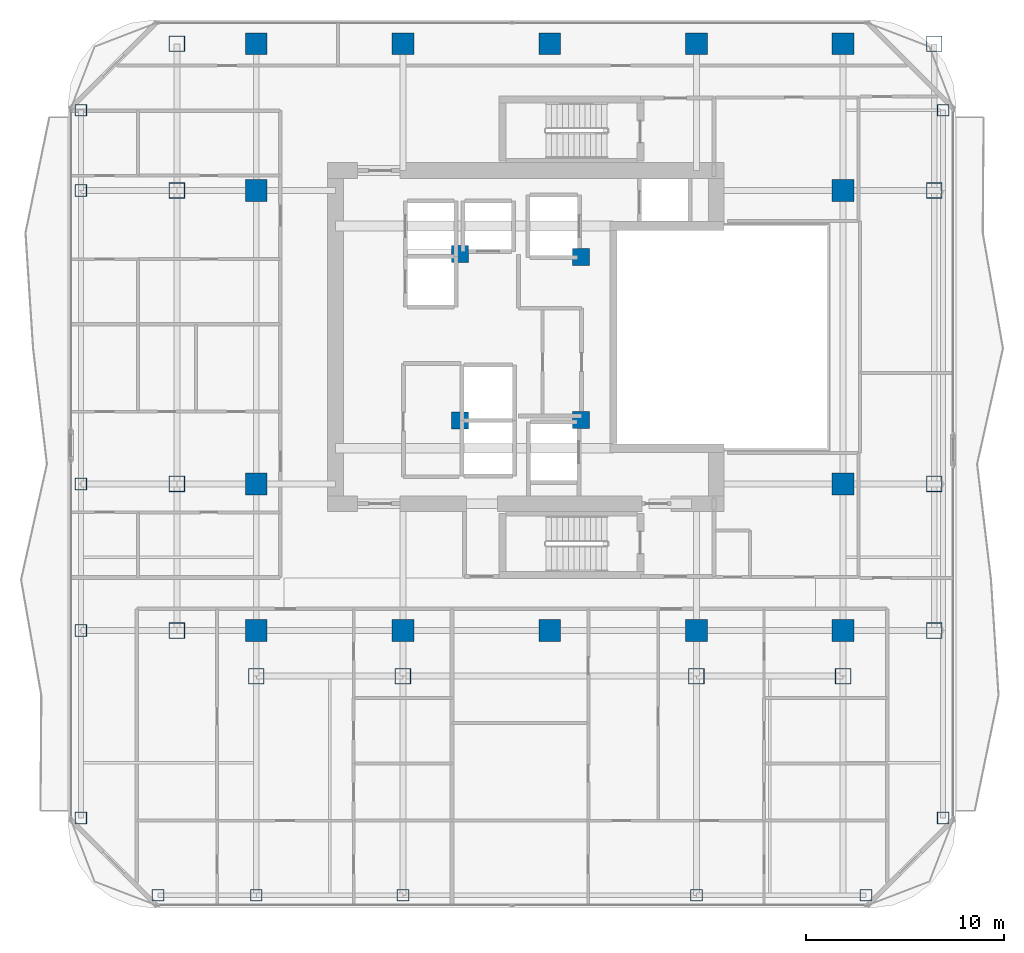
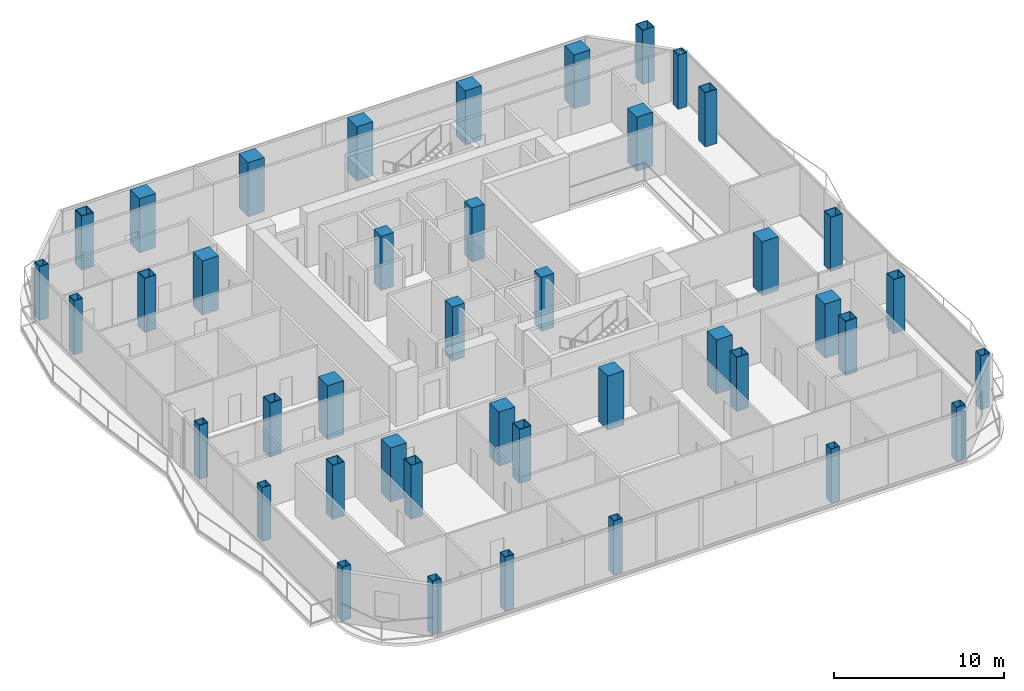
# One storey, part 1 of 23: 42 columns.
"""IFC4 building model written with IfcOpenShell, lengths in metres."""

from ifc_helpers import new_model, si_unit, direction, frame, origin, origin_2d, place, context, subcontext, project, spatial, rectangle, hollow_rectangle, extrude, material, material_profile, profile_set, type_object, element, save


model = new_model("IFC4")

# Units and contexts
model_context = context("Model", 3, precision=1e-05, world=origin(), true_north=direction((0.0, 1.0)))
body_context = subcontext(model_context, "Body", "Model", "MODEL_VIEW")
ifc_project = project(units=[si_unit("LENGTHUNIT", "METRE"), si_unit("AREAUNIT", "SQUARE_METRE"), si_unit("VOLUMEUNIT", "CUBIC_METRE"), si_unit("PLANEANGLEUNIT", "RADIAN"), si_unit("MASSUNIT", "GRAM", prefix="KILO")], contexts=[model_context])

# Site, building, storey
site_placement = place(None, origin())
site = spatial("IfcSite", under=ifc_project, at=site_placement, CompositionType="ELEMENT")
building_placement = place(site_placement, origin())
building = spatial("IfcBuilding", under=site, at=building_placement, Name="Khorvyn Point Tower", CompositionType="ELEMENT")
storey_placement = place(building_placement, frame((0.0, 0.0, 199.199951171875)))
storey = spatial("IfcBuildingStorey", under=building, at=storey_placement, Name="L49", CompositionType="ELEMENT", Elevation=199.199951171875)

# Columns
ifc_material_1 = material(Name="Concrete C40/50", Category="concrete")
ifc_material_profile_1 = material_profile(ifc_material_1, rectangle(XDim=0.85009765625, YDim=0.85009765625, at=origin_2d()))
ifc_profile_set_1 = profile_set([ifc_material_profile_1], Name="Concrete C40/50 RC850x850")
column_type_1 = type_object("IfcColumnType", Name="Concrete C40/50 Column RC850x850", PredefinedType="COLUMN", material=ifc_profile_set_1)
for number, where, z_axis, x_axis, name in (
    (1, (-4.52001953125, -4.199951171875, 0.0), (0.0, 0.0, 1.0), (1.0, 0.0, 0.0), "L49 Crown Core Spine Column 1"),
    (2, (1.580078125, -4.179931640625, 0.0), (0.0, 0.0, 1.0), (1.0, 0.0, 0.0), "L49 Crown Core Spine Column 2"),
    (3, (1.580078125, 4.050048828125, 0.0), (0.0, 0.0, 1.0), (1.0, 0.0, 0.0), "L49 Crown Core Spine Column 3"),
    (4, (-4.52001953125, 4.199951171875, 0.0), (0.0, 0.0, 1.0), (1.0, 0.0, 0.0), "L49 Crown Core Spine Column 4"),
):
    element("IfcColumn", number, at=place(storey_placement, frame(where, z_axis=z_axis, x_axis=x_axis)), inside=storey, type_object=column_type_1, Name=name, PredefinedType="COLUMN", context=body_context, shape_type="SweptSolid", body=[
        extrude(rectangle(XDim=0.85009765625, YDim=0.85009765625, at=origin_2d()), origin(), (0.0, 0.0, 1.0), 3.900146484375),
    ])
ifc_material_2 = material(Name="Concrete C45/55", Category="concrete")
ifc_material_profile_2 = material_profile(ifc_material_2, rectangle(XDim=1.10009765625, YDim=1.10009765625, at=origin_2d()))
ifc_profile_set_2 = profile_set([ifc_material_profile_2], Name="Concrete C45/55 RC1100x1100")
column_type_2 = type_object("IfcColumnType", Name="Concrete C45/55 Column RC1100x1100", PredefinedType="COLUMN", material=ifc_profile_set_2)
for number, where, z_axis, x_axis, name in (
    (5, (-14.800048828125, -14.800048828125, 0.0), (0.0, 0.0, 1.0), (1.0, 0.0, 0.0), "L49 Mega-Column MC-01"),
    (6, (-7.39990234375, -14.800048828125, 0.0), (0.0, 0.0, 1.0), (1.0, 0.0, 0.0), "L49 Mega-Column MC-02"),
    (7, (0.0, -14.800048828125, 0.0), (0.0, 0.0, 1.0), (1.0, 0.0, 0.0), "L49 Mega-Column MC-03"),
    (8, (7.39990234375, -14.800048828125, 0.0), (0.0, 0.0, 1.0), (1.0, 0.0, 0.0), "L49 Mega-Column MC-04"),
    (9, (14.800048828125, -14.800048828125, 0.0), (0.0, 0.0, 1.0), (1.0, 0.0, 0.0), "L49 Mega-Column MC-05"),
    (10, (-14.800048828125, 14.800048828125, 0.0), (0.0, 0.0, 1.0), (1.0, 0.0, 0.0), "L49 Mega-Column MC-06"),
    (11, (-7.39990234375, 14.800048828125, 0.0), (0.0, 0.0, 1.0), (1.0, 0.0, 0.0), "L49 Mega-Column MC-07"),
    (12, (0.0, 14.800048828125, 0.0), (0.0, 0.0, 1.0), (1.0, 0.0, 0.0), "L49 Mega-Column MC-08"),
    (13, (7.39990234375, 14.800048828125, 0.0), (0.0, 0.0, 1.0), (1.0, 0.0, 0.0), "L49 Mega-Column MC-09"),
    (14, (14.800048828125, 14.800048828125, 0.0), (0.0, 0.0, 1.0), (1.0, 0.0, 0.0), "L49 Mega-Column MC-10"),
    (15, (-14.800048828125, -7.39990234375, 0.0), (0.0, 0.0, 1.0), (1.0, 0.0, 0.0), "L49 Mega-Column MC-11"),
    (16, (-14.800048828125, 7.39990234375, 0.0), (0.0, 0.0, 1.0), (1.0, 0.0, 0.0), "L49 Mega-Column MC-12"),
    (17, (14.800048828125, -7.39990234375, 0.0), (0.0, 0.0, 1.0), (1.0, 0.0, 0.0), "L49 Mega-Column MC-13"),
    (18, (14.800048828125, 7.39990234375, 0.0), (0.0, 0.0, 1.0), (1.0, 0.0, 0.0), "L49 Mega-Column MC-14"),
):
    element("IfcColumn", number, at=place(storey_placement, frame(where, z_axis=z_axis, x_axis=x_axis)), inside=storey, type_object=column_type_2, Name=name, PredefinedType="COLUMN", context=body_context, shape_type="SweptSolid", body=[
        extrude(rectangle(XDim=1.10009765625, YDim=1.10009765625, at=origin_2d()), origin(), (0.0, 0.0, 1.0), 3.900146484375),
    ])
ifc_material_3 = material(Name="Steel S450", Category="steel")
ifc_material_profile_3 = material_profile(ifc_material_3, hollow_rectangle(XDim=0.60009765625, YDim=0.60009765625, WallThickness=0.028076171875, at=origin_2d()))
ifc_profile_set_3 = profile_set([ifc_material_profile_3], Name="Steel S450 BOX600x600x28")
column_type_3 = type_object("IfcColumnType", Name="Steel S450 Structural Column BOX600x600x28", PredefinedType="COLUMN", material=ifc_profile_set_3)
for number, where, z_axis, x_axis, name in (
    (19, (-19.75, -28.14990234375, 0.0), (0.0, 0.0, 1.0), (1.0, 0.0, 0.0), "L49 Perimeter Tube Column TC-01"),
    (20, (15.949951171875, -28.14990234375, 0.0), (0.0, 0.0, 1.0), (1.0, 0.0, 0.0), "L49 Perimeter Tube Column TC-02"),
    (21, (-23.64990234375, -24.25, 0.0), (0.0, 0.0, 1.0), (1.0, 0.0, 0.0), "L49 Perimeter Tube Column TC-03"),
    (22, (-23.64990234375, 11.449951171875, 0.0), (0.0, 0.0, 1.0), (1.0, 0.0, 0.0), "L49 Perimeter Tube Column TC-04"),
    (23, (19.85009765625, -24.25, 0.0), (0.0, 0.0, 1.0), (1.0, 0.0, 0.0), "L49 Perimeter Tube Column TC-05"),
    (24, (19.85009765625, 11.449951171875, 0.0), (0.0, 0.0, 1.0), (1.0, 0.0, 0.0), "L49 Perimeter Tube Column TC-06"),
    (25, (-14.800048828125, -28.14990234375, 0.0), (0.0, 0.0, 1.0), (1.0, 0.0, 0.0), "L49 Perimeter Tube Column TC-07"),
    (26, (-7.39990234375, -28.14990234375, 0.0), (0.0, 0.0, 1.0), (1.0, 0.0, 0.0), "L49 Perimeter Tube Column TC-08"),
    (27, (7.39990234375, -28.14990234375, 0.0), (0.0, 0.0, 1.0), (1.0, 0.0, 0.0), "L49 Perimeter Tube Column TC-09"),
    (28, (-23.64990234375, -14.800048828125, 0.0), (0.0, 0.0, 1.0), (1.0, 0.0, 0.0), "L49 Perimeter Tube Column TC-10"),
    (29, (-23.64990234375, -7.39990234375, 0.0), (0.0, 0.0, 1.0), (1.0, 0.0, 0.0), "L49 Perimeter Tube Column TC-11"),
    (30, (-23.64990234375, 7.39990234375, 0.0), (0.0, 0.0, 1.0), (1.0, 0.0, 0.0), "L49 Perimeter Tube Column TC-12"),
):
    element("IfcColumn", number, at=place(storey_placement, frame(where, z_axis=z_axis, x_axis=x_axis)), inside=storey, type_object=column_type_3, Name=name, PredefinedType="COLUMN", context=body_context, shape_type="SweptSolid", body=[
        extrude(hollow_rectangle(XDim=0.60009765625, YDim=0.60009765625, WallThickness=0.028076171875, at=origin_2d()), origin(), (0.0, 0.0, 1.0), 3.900146484375),
    ])
ifc_material_profile_4 = material_profile(ifc_material_3, hollow_rectangle(XDim=0.800048828125, YDim=0.800048828125, WallThickness=0.035888671875, at=origin_2d()))
ifc_profile_set_4 = profile_set([ifc_material_profile_4], Name="Steel S450 BOX800x800x36")
column_type_4 = type_object("IfcColumnType", Name="Steel S450 Structural Column BOX800x800x36", PredefinedType="COLUMN", material=ifc_profile_set_4)
for number, where, z_axis, x_axis, name in (
    (31, (-18.800048828125, -14.800048828125, 0.0), (0.0, 0.0, 1.0), (1.0, 0.0, 0.0), "L49 Intermediate Column ICW--14"),
    (32, (-18.800048828125, -7.39990234375, 0.0), (0.0, 0.0, 1.0), (1.0, 0.0, 0.0), "L49 Intermediate Column ICW--7"),
    (33, (-18.800048828125, 7.39990234375, 0.0), (0.0, 0.0, 1.0), (1.0, 0.0, 0.0), "L49 Intermediate Column ICW-7"),
    (34, (-18.800048828125, 14.800048828125, 0.0), (0.0, 0.0, 1.0), (1.0, 0.0, 0.0), "L49 Intermediate Column ICW-14"),
    (35, (19.39990234375, -14.800048828125, 0.0), (0.0, 0.0, 1.0), (1.0, 0.0, 0.0), "L49 Intermediate Column ICE--14"),
    (36, (19.39990234375, -7.39990234375, 0.0), (0.0, 0.0, 1.0), (1.0, 0.0, 0.0), "L49 Intermediate Column ICE--7"),
    (37, (19.39990234375, 7.39990234375, 0.0), (0.0, 0.0, 1.0), (1.0, 0.0, 0.0), "L49 Intermediate Column ICE-7"),
    (38, (19.39990234375, 14.800048828125, 0.0), (0.0, 0.0, 1.0), (1.0, 0.0, 0.0), "L49 Intermediate Column ICE-14"),
    (39, (-14.800048828125, -17.10009765625, 0.0), (0.0, 0.0, 1.0), (1.0, 0.0, 0.0), "L49 Intermediate Column ICS--14"),
    (40, (-7.39990234375, -17.10009765625, 0.0), (0.0, 0.0, 1.0), (1.0, 0.0, 0.0), "L49 Intermediate Column ICS--7"),
    (41, (7.39990234375, -17.10009765625, 0.0), (0.0, 0.0, 1.0), (1.0, 0.0, 0.0), "L49 Intermediate Column ICS-7"),
    (42, (14.800048828125, -17.10009765625, 0.0), (0.0, 0.0, 1.0), (1.0, 0.0, 0.0), "L49 Intermediate Column ICS-14"),
):
    element("IfcColumn", number, at=place(storey_placement, frame(where, z_axis=z_axis, x_axis=x_axis)), inside=storey, type_object=column_type_4, Name=name, PredefinedType="COLUMN", context=body_context, shape_type="SweptSolid", body=[
        extrude(hollow_rectangle(XDim=0.800048828125, YDim=0.800048828125, WallThickness=0.035888671875, at=origin_2d()), origin(), (0.0, 0.0, 1.0), 3.900146484375),
    ])

save(model, "model.ifc")
